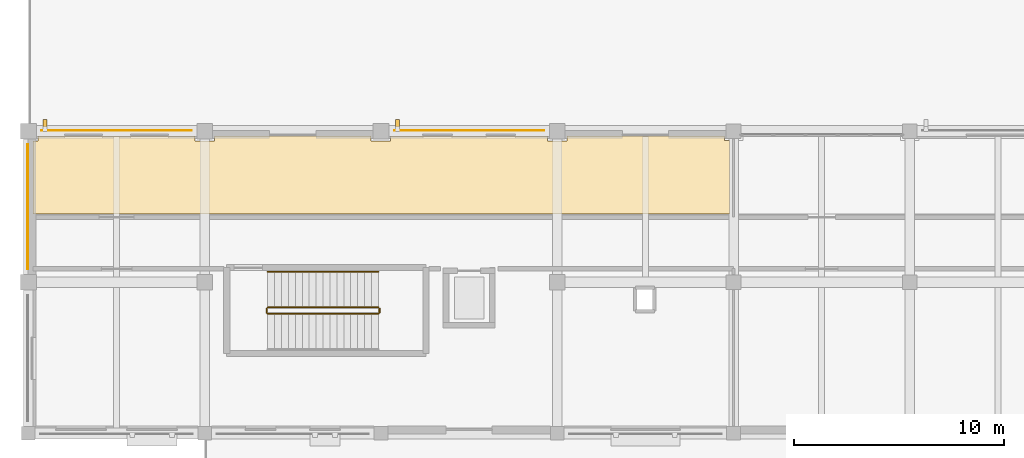
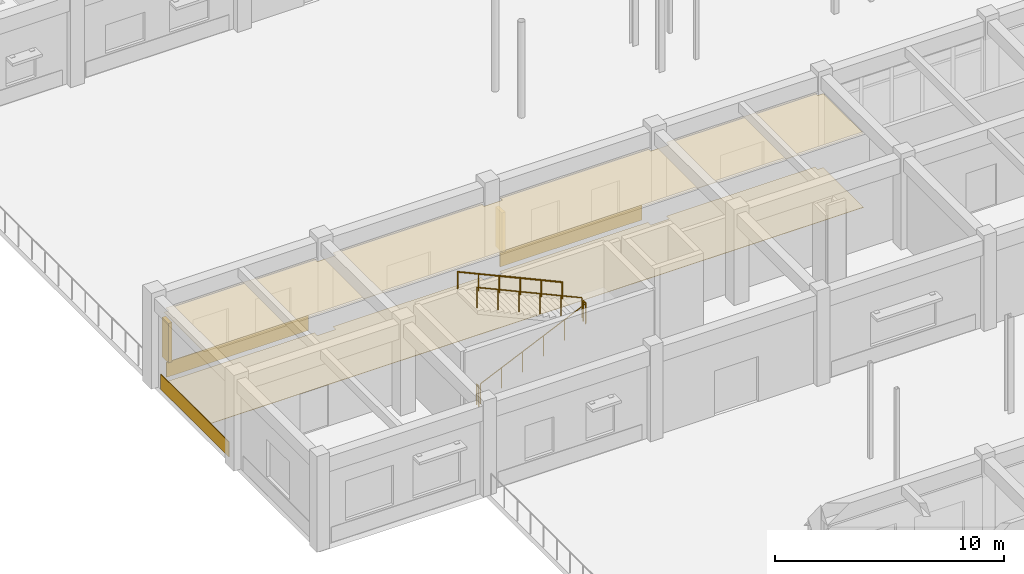
# One storey, part 109 of 121: 5 coverings, 5 railings, 2 shading devices.
"""IFC4 building model written with IfcOpenShell, lengths in metres."""

from ifc_helpers import new_model, si_unit, direction, frame, origin, origin_2d, place, context, subcontext, project, spatial, polyline, rectangle, circle, outline, extrude, material, layer, layer_set, type_object, element, save


model = new_model("IFC4")

# Units and contexts
model_context = context("Model", 3, precision=1e-05, world=origin(), true_north=direction((0.0, 1.0)))
body_context = subcontext(model_context, "Body", "Model", "MODEL_VIEW")
ifc_project = project(units=[si_unit("LENGTHUNIT", "METRE"), si_unit("AREAUNIT", "SQUARE_METRE"), si_unit("VOLUMEUNIT", "CUBIC_METRE"), si_unit("PLANEANGLEUNIT", "RADIAN"), si_unit("MASSUNIT", "GRAM", prefix="KILO")], contexts=[model_context])

# Site, building, storey
site_placement = place(None, origin())
site = spatial("IfcSite", under=ifc_project, at=site_placement, CompositionType="ELEMENT")
building_placement = place(site_placement, origin())
building = spatial("IfcBuilding", under=site, at=building_placement, Name="Malvenik Polytechnic", CompositionType="ELEMENT")
storey_placement = place(building_placement, origin())
storey = spatial("IfcBuildingStorey", under=building, at=storey_placement, Name="L00", CompositionType="ELEMENT", Elevation=0.0)

# Coverings
ifc_material_1 = material(Name="Perforated mineral-fibre acoustic suspended ceiling 600x600", Category="gypsum")
ifc_layer_1 = layer(ifc_material_1, 0.02490234375)
ifc_layer_set_1 = layer_set([ifc_layer_1], Name="Perforated mineral-fibre acoustic suspended ceiling 600x600")
covering_type_1 = type_object("IfcCoveringType", Name="ARC-COV-CEIL-AC", PredefinedType="CEILING", material=ifc_layer_set_1)
covering_1_placement = place(storey_placement, frame((0.0, 0.0, 3.93505859375)))
element("IfcCovering", 1, at=covering_1_placement, inside=storey, type_object=covering_type_1, Name="Acoustic Ceiling L00 Timber and Ceramic Prototyping Workshop", PredefinedType="CEILING", context=body_context, shape_type="SweptSolid", body=[
    extrude(outline(polyline([(0.219970703125, 93.135009765625), (0.465087890625, 93.135009765625), (0.465087890625, 93.3798828125), (7.93505859375, 93.3798828125), (7.93505859375, 93.135009765625), (8.864990234375, 93.135009765625), (8.864990234375, 93.3798828125), (16.3349609375, 93.3798828125), (16.3349609375, 93.135009765625), (17.264892578125, 93.135009765625), (17.264892578125, 93.3798828125), (24.735107421875, 93.3798828125), (24.735107421875, 93.135009765625), (25.6650390625, 93.135009765625), (25.6650390625, 93.3798828125), (33.159912109375, 93.3798828125), (33.159912109375, 93.159912109375), (33.43994140625, 93.159912109375), (33.43994140625, 89.659912109375), (0.219970703125, 89.659912109375), (0.219970703125, 93.135009765625)])), origin(), (0.0, 0.0, 1.0), 0.02490234375),
])
ifc_material_2 = material(Name="Glazed ochre architectural terracotta rainscreen tile 35mm", Category="masonry")
ifc_layer_2 = layer(ifc_material_2, 0.034912109375)
ifc_layer_set_2 = layer_set([ifc_layer_2], Name="Glazed ochre architectural terracotta rainscreen tile 35mm")
covering_type_2 = type_object("IfcCoveringType", Name="ARC-COV-CLAD-TERR", PredefinedType="CLADDING", material=ifc_layer_set_2)
covering_2_placement = place(storey_placement, frame((0.0, 0.0, 0.050048828125)))
element("IfcCovering", 2, at=covering_2_placement, inside=storey, type_object=covering_type_2, Name="Stone Rainscreen Band CL-02 L00 #33", PredefinedType="CLADDING", context=body_context, shape_type="SweptSolid", body=[
    extrude(outline(polyline([(-0.01611328125, 87.02294921875), (-0.01611328125, 92.97705078125), (-0.051025390625, 92.97705078125), (-0.051025390625, 87.02294921875), (-0.01611328125, 87.02294921875)])), origin(), (0.0, 0.0, 1.0), 0.800048828125),
])
covering_3_placement = place(storey_placement, frame((0.0, 0.0, 0.050048828125)))
element("IfcCovering", 3, at=covering_3_placement, inside=storey, type_object=covering_type_2, Name="Stone Rainscreen Band CL-02 L00 #34", PredefinedType="CLADDING", context=body_context, shape_type="SweptSolid", body=[
    extrude(outline(polyline([(0.623046875, 93.615966796875), (7.777099609375, 93.615966796875), (7.777099609375, 93.65087890625), (0.623046875, 93.65087890625), (0.623046875, 93.615966796875)])), origin(), (0.0, 0.0, 1.0), 0.800048828125),
])
covering_4_placement = place(storey_placement, frame((0.0, 0.0, 0.050048828125)))
element("IfcCovering", 4, at=covering_4_placement, inside=storey, type_object=covering_type_2, Name="Stone Rainscreen Band CL-02 L00 #35", PredefinedType="CLADDING", context=body_context, shape_type="SweptSolid", body=[
    extrude(outline(polyline([(17.423095703125, 93.615966796875), (24.576904296875, 93.615966796875), (24.576904296875, 93.65087890625), (17.423095703125, 93.65087890625), (17.423095703125, 93.615966796875)])), origin(), (0.0, 0.0, 1.0), 0.800048828125),
])
ifc_material_3 = material(Name="Polished Danube aggregate terrazzo flooring 20mm", Category="stone")
ifc_layer_3 = layer(ifc_material_3, 0.02001953125)
ifc_layer_set_3 = layer_set([ifc_layer_3], Name="Polished Danube aggregate terrazzo flooring 20mm")
covering_type_3 = type_object("IfcCoveringType", Name="ARC-COV-FLR-TER", PredefinedType="FLOORING", material=ifc_layer_set_3)
covering_5_placement = place(storey_placement, origin())
element("IfcCovering", 5, at=covering_5_placement, inside=storey, type_object=covering_type_3, Name="Floor Finish FLR-01 L00 Timber and Ceramic Prototyping Workshop", PredefinedType="FLOORING", context=body_context, shape_type="SweptSolid", body=[
    extrude(outline(polyline([(0.219970703125, 93.135009765625), (0.465087890625, 93.135009765625), (0.465087890625, 93.3798828125), (7.93505859375, 93.3798828125), (7.93505859375, 93.135009765625), (8.864990234375, 93.135009765625), (8.864990234375, 93.3798828125), (16.3349609375, 93.3798828125), (16.3349609375, 93.135009765625), (17.264892578125, 93.135009765625), (17.264892578125, 93.3798828125), (24.735107421875, 93.3798828125), (24.735107421875, 93.135009765625), (25.6650390625, 93.135009765625), (25.6650390625, 93.3798828125), (33.159912109375, 93.3798828125), (33.159912109375, 93.159912109375), (33.43994140625, 93.159912109375), (33.43994140625, 89.659912109375), (0.219970703125, 89.659912109375), (0.219970703125, 93.135009765625)])), origin(), (0.0, 0.0, 1.0), 0.02001953125),
])

# Railings
ifc_material_4 = material(Name="Painted galvanised steel stair well balustrade 1100mm", Category="steel")
ifc_layer_4 = layer(ifc_material_4, 0.050048828125)
ifc_layer_set_4 = layer_set([ifc_layer_4], Name="Painted galvanised steel stair well balustrade 1100mm")
railing_type_1 = type_object("IfcRailingType", Name="ARC-RL-STGD", PredefinedType="BALUSTRADE", material=ifc_layer_set_4)
railing_1_placement = place(storey_placement, frame((11.39990234375, 84.89990234375, 0.14990234375)))
element("IfcRailing", 6, at=railing_1_placement, inside=storey, type_object=railing_type_1, Name="L00 ST-04 stair guard 1", PredefinedType="BALUSTRADE", context=body_context, shape_type="SweptSolid", body=[
    extrude(circle(Radius=0.02392578125, at=origin_2d()), frame((0.0, 0.0, 1.076171875), z_axis=(0.910357827898, 0.0, 0.413821972815), x_axis=(0.0, 1.0, 0.0)), (0.0, 0.0, 1.0), 5.800048828125),
    extrude(circle(Radius=0.02099609375, at=origin_2d()), origin(), (0.0, 0.0, 1.0), 1.052001953125),
    extrude(circle(Radius=0.02099609375, at=origin_2d()), frame((1.055908203125, 0.0, 0.47998046875)), (0.0, 0.0, 1.0), 1.052001953125),
    extrude(circle(Radius=0.02099609375, at=origin_2d()), frame((2.112060546875, 0.0, 0.9599609375)), (0.0, 0.0, 1.0), 1.052001953125),
    extrude(circle(Radius=0.02099609375, at=origin_2d()), frame((3.16796875, 0.0, 1.440185546875)), (0.0, 0.0, 1.0), 1.052001953125),
    extrude(circle(Radius=0.02099609375, at=origin_2d()), frame((4.22412109375, 0.0, 1.920166015625)), (0.0, 0.0, 1.0), 1.052001953125),
    extrude(circle(Radius=0.02099609375, at=origin_2d()), frame((5.280029296875, 0.0, 2.400146484375)), (0.0, 0.0, 1.0), 1.052001953125),
])
railing_2_placement = place(storey_placement, frame((16.72998046875, 84.949951171875, 2.550048828125)))
element("IfcRailing", 7, at=railing_2_placement, inside=storey, type_object=railing_type_1, Name="L00 ST-04 stair guard 2", PredefinedType="BALUSTRADE", context=body_context, shape_type="SweptSolid", body=[
    extrude(circle(Radius=0.02392578125, at=origin_2d()), frame((0.0, 0.0, 1.076171875), z_axis=(0.0, 1.0, 0.0), x_axis=(-1.0, 0.0, 0.0)), (0.0, 0.0, 1.0), 0.199951171875),
    extrude(circle(Radius=0.02099609375, at=origin_2d()), origin(), (0.0, 0.0, 1.0), 1.052001953125),
    extrude(circle(Radius=0.02099609375, at=origin_2d()), frame((0.0, 0.199951171875, 0.0)), (0.0, 0.0, 1.0), 1.052001953125),
])
railing_3_placement = place(storey_placement, frame((16.679931640625, 85.199951171875, 2.699951171875)))
element("IfcRailing", 8, at=railing_3_placement, inside=storey, type_object=railing_type_1, Name="L00 ST-04 stair guard 3", PredefinedType="BALUSTRADE", context=body_context, shape_type="SweptSolid", body=[
    extrude(circle(Radius=0.02392578125, at=origin_2d()), frame((0.0, 0.0, 1.076171875), z_axis=(-0.910357827898, 0.0, 0.413821972815), x_axis=(0.0, -1.0, 0.0)), (0.0, 0.0, 1.0), 5.800048828125),
    extrude(circle(Radius=0.02099609375, at=origin_2d()), origin(), (0.0, 0.0, 1.0), 1.052001953125),
    extrude(circle(Radius=0.02099609375, at=origin_2d()), frame((-1.055908203125, 0.0, 0.47998046875)), (0.0, 0.0, 1.0), 1.052001953125),
    extrude(circle(Radius=0.02099609375, at=origin_2d()), frame((-2.112060546875, 0.0, 0.9599609375)), (0.0, 0.0, 1.0), 1.052001953125),
    extrude(circle(Radius=0.02099609375, at=origin_2d()), frame((-3.16796875, 0.0, 1.440185546875)), (0.0, 0.0, 1.0), 1.052001953125),
    extrude(circle(Radius=0.02099609375, at=origin_2d()), frame((-4.22412109375, 0.0, 1.920166015625)), (0.0, 0.0, 1.0), 1.052001953125),
    extrude(circle(Radius=0.02099609375, at=origin_2d()), frame((-5.280029296875, 0.0, 2.400146484375)), (0.0, 0.0, 1.0), 1.052001953125),
])
railing_4_placement = place(storey_placement, frame((11.35009765625, 84.949951171875, 0.0)))
element("IfcRailing", 9, at=railing_4_placement, inside=storey, type_object=railing_type_1, Name="L00 ST-04 stair guard 4", PredefinedType="BALUSTRADE", context=body_context, shape_type="SweptSolid", body=[
    extrude(circle(Radius=0.02392578125, at=origin_2d()), frame((0.0, 0.0, 1.076171875), z_axis=(0.0, 1.0, 0.0), x_axis=(-1.0, 0.0, 0.0)), (0.0, 0.0, 1.0), 0.199951171875),
    extrude(circle(Radius=0.02099609375, at=origin_2d()), origin(), (0.0, 0.0, 1.0), 1.052001953125),
    extrude(circle(Radius=0.02099609375, at=origin_2d()), frame((0.0, 0.199951171875, 0.0)), (0.0, 0.0, 1.0), 1.052001953125),
])
ifc_material_5 = material(Name="Brushed stainless steel 1.4301 stair wall handrail", Category="steel")
ifc_layer_5 = layer(ifc_material_5, 0.044921875)
ifc_layer_set_5 = layer_set([ifc_layer_5], Name="Brushed stainless steel 1.4301 stair wall handrail")
railing_type_2 = type_object("IfcRailingType", Name="ARC-RL-STHR", PredefinedType="HANDRAIL", material=ifc_layer_set_5)
railing_5_placement = place(storey_placement, frame((16.679931640625, 86.89990234375, 2.699951171875)))
element("IfcRailing", 10, at=railing_5_placement, inside=storey, type_object=railing_type_2, Name="L00 ST-04 stair handrail 2", PredefinedType="HANDRAIL", context=body_context, shape_type="SweptSolid", body=[
    extrude(circle(Radius=0.02392578125, at=origin_2d()), frame((0.0, 0.0, 0.8759765625), z_axis=(-0.910357827898, 0.0, 0.413821972815), x_axis=(0.0, -1.0, 0.0)), (0.0, 0.0, 1.0), 5.800048828125),
    extrude(circle(Radius=0.02099609375, at=origin_2d()), origin(), (0.0, 0.0, 1.0), 0.851806640625),
    extrude(circle(Radius=0.02099609375, at=origin_2d()), frame((-1.055908203125, 0.0, 0.47998046875)), (0.0, 0.0, 1.0), 0.851806640625),
    extrude(circle(Radius=0.02099609375, at=origin_2d()), frame((-2.112060546875, 0.0, 0.9599609375)), (0.0, 0.0, 1.0), 0.851806640625),
    extrude(circle(Radius=0.02099609375, at=origin_2d()), frame((-3.16796875, 0.0, 1.440185546875)), (0.0, 0.0, 1.0), 0.851806640625),
    extrude(circle(Radius=0.02099609375, at=origin_2d()), frame((-4.22412109375, 0.0, 1.920166015625)), (0.0, 0.0, 1.0), 0.851806640625),
    extrude(circle(Radius=0.02099609375, at=origin_2d()), frame((-5.280029296875, 0.0, 2.400146484375)), (0.0, 0.0, 1.0), 0.851806640625),
])

# Shading devices
ifc_material_6 = material(Name="Precast ultra-high-performance fibre concrete sunshade fin", Category="concrete")
shading_device_type = type_object("IfcShadingDeviceType", Name="ARC-SHD-FIN", PredefinedType="USERDEFINED", material=ifc_material_6)
for number, where, z_axis, x_axis, name in (
    (11, (0.79296875, 93.8798828125, 0.800048828125), (0.0, 0.0, 1.0), (1.0, 0.0, 0.0), "Vertical UHPC Sunshade Fin SH-02 #8"),
    (12, (17.593017578125, 93.8798828125, 0.800048828125), (0.0, 0.0, 1.0), (1.0, 0.0, 0.0), "Vertical UHPC Sunshade Fin SH-02 #9"),
):
    element("IfcShadingDevice", number, at=place(storey_placement, frame(where, z_axis=z_axis, x_axis=x_axis)), inside=storey, type_object=shading_device_type, Name=name, ObjectType="SUNSHADE FIN", PredefinedType="USERDEFINED", context=body_context, shape_type="SweptSolid", body=[
        extrude(rectangle(XDim=0.179931640625, YDim=0.56005859375, at=origin_2d()), origin(), (0.0, 0.0, 1.0), 2.10009765625),
    ])

save(model, "model.ifc")
